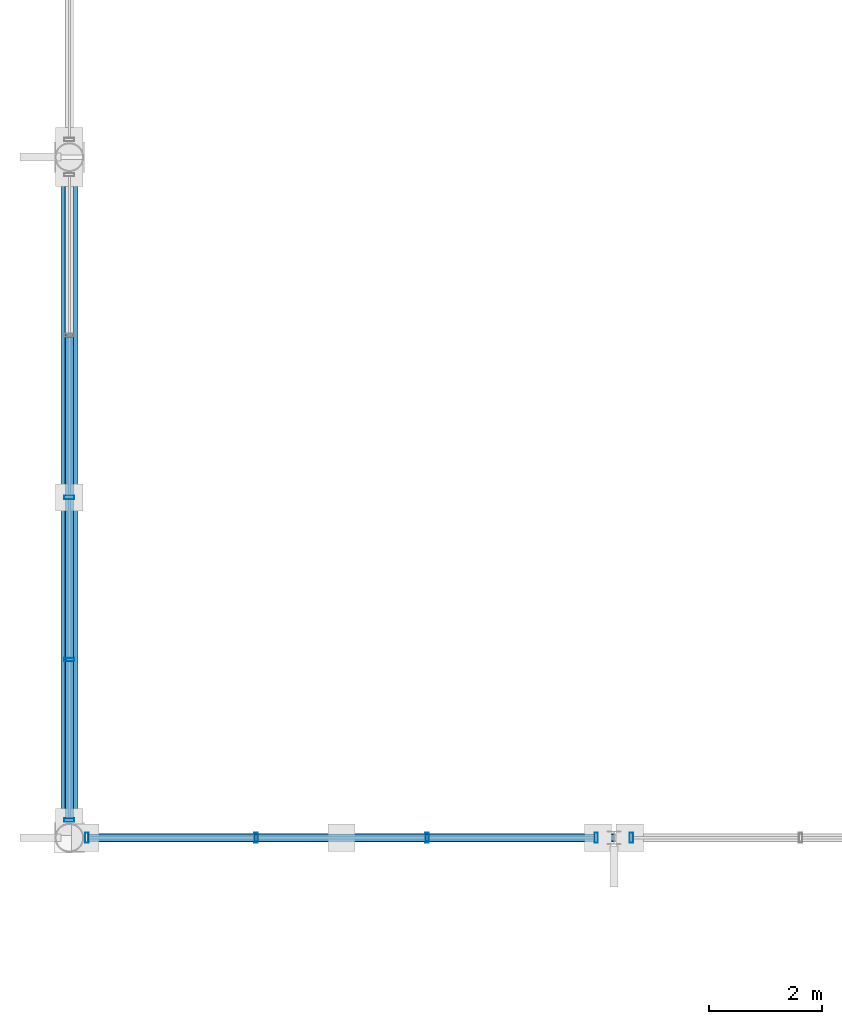
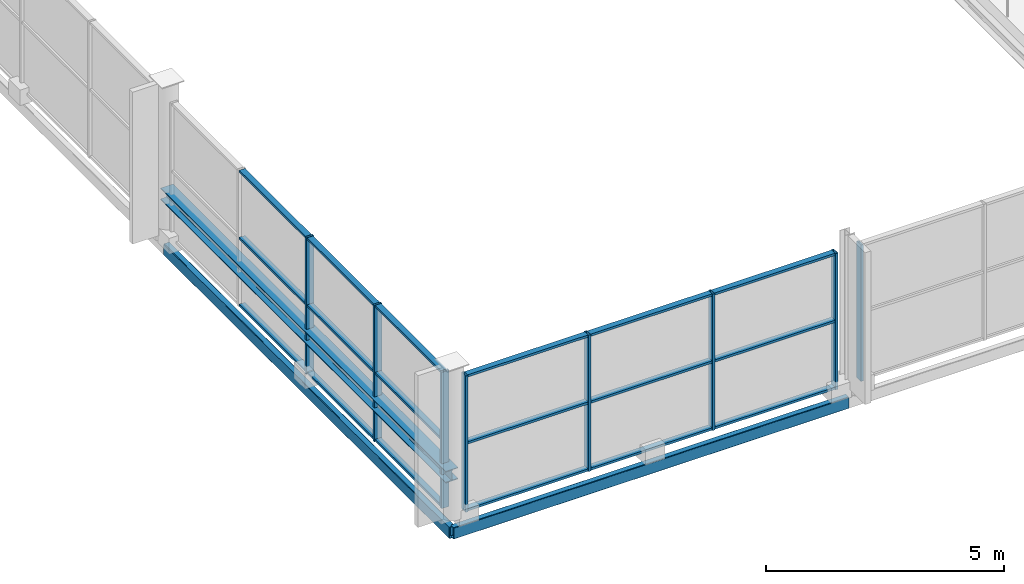
# One storey, part 20 of 117: 26 members, 3 beams, 3 elements without a shape of their own.
"""IFC4 building model written with IfcOpenShell, lengths in metres."""

from ifc_helpers import new_model, si_unit, direction, frame, origin, origin_2d, place, context, subcontext, project, spatial, hollow_rectangle, i_section, extrude, material, material_profile, profile_set, type_object, element, aggregate, save


model = new_model("IFC4")

# Units and contexts
model_context = context("Model", 3, precision=1e-05, world=origin(), true_north=direction((0.0, 1.0)))
body_context = subcontext(model_context, "Body", "Model", "MODEL_VIEW")
ifc_project = project(units=[si_unit("LENGTHUNIT", "METRE"), si_unit("AREAUNIT", "SQUARE_METRE"), si_unit("VOLUMEUNIT", "CUBIC_METRE"), si_unit("PLANEANGLEUNIT", "RADIAN"), si_unit("MASSUNIT", "GRAM", prefix="KILO")], contexts=[model_context])

# Site, building, storey
site_placement = place(None, origin())
site = spatial("IfcSite", under=ifc_project, at=site_placement, CompositionType="ELEMENT")
building_placement = place(site_placement, origin())
building = spatial("IfcBuilding", under=site, at=building_placement, Name="Merenkruunu Market Hall", CompositionType="ELEMENT")
storey_placement = place(building_placement, frame((0.0, 0.0, 10.199951171875)))
storey = spatial("IfcBuildingStorey", under=building, at=storey_placement, Name="L02", CompositionType="ELEMENT", Elevation=10.199951171875)

# Curtain wall, members
ifc_material_1 = material(Name="Powder-coated aluminium", Category="aluminium")
curtain_wall_type_1 = type_object("IfcCurtainWallType", Name="Glazed Curtain Wall CW13", PredefinedType="USERDEFINED", material=ifc_material_1)
curtain_wall_1_placement = place(storey_placement, origin())
curtain_wall_1 = element("IfcCurtainWall", 1, at=curtain_wall_1_placement, inside=storey, type_object=curtain_wall_type_1, Name="CW-L02-CWM02-003", ObjectType="GLAZED_FACADE", PredefinedType="USERDEFINED")
ifc_material_profile_1 = material_profile(ifc_material_1, hollow_rectangle(XDim=0.06005859375, YDim=0.179931640625, WallThickness=0.00390625, at=origin_2d()), Name="ALU 60x180x4")
ifc_profile_set_1 = profile_set([ifc_material_profile_1], Name="Powder-coated aluminium")
member_type_1 = type_object("IfcMemberType", Name="Curtain Wall Mullion CWM02", PredefinedType="MULLION", material=ifc_profile_set_1)
member_1_placement = place(storey_placement, frame((0.0, 15.909912109375, 0.0), z_axis=(0.0, 0.0, 1.0), x_axis=(0.0, 1.0, 0.0)))
member_1 = element("IfcMember", 2, at=member_1_placement, type_object=member_type_1, Name="CW13 mullion 1", PredefinedType="MULLION", context=body_context, shape_type="SweptSolid", body=[
    extrude(hollow_rectangle(XDim=0.06005859375, YDim=0.179931640625, WallThickness=0.00390625, at=origin_2d()), origin(), (0.0, 0.0, 1.0), 3.5),
])
member_2_placement = place(storey_placement, frame((0.0, 18.739990234375, 0.0), z_axis=(0.0, 0.0, 1.0), x_axis=(0.0, 1.0, 0.0)))
member_2 = element("IfcMember", 3, at=member_2_placement, type_object=member_type_1, Name="CW13 mullion 2", PredefinedType="MULLION", context=body_context, shape_type="SweptSolid", body=[
    extrude(hollow_rectangle(XDim=0.06005859375, YDim=0.179931640625, WallThickness=0.00390625, at=origin_2d()), origin(), (0.0, 0.0, 1.0), 3.5),
])
member_3_placement = place(storey_placement, frame((0.0, 21.60009765625, 0.0), z_axis=(0.0, 0.0, 1.0), x_axis=(0.0, 1.0, 0.0)))
member_3 = element("IfcMember", 4, at=member_3_placement, type_object=member_type_1, Name="CW13 mullion 3", PredefinedType="MULLION", context=body_context, shape_type="SweptSolid", body=[
    extrude(hollow_rectangle(XDim=0.06005859375, YDim=0.179931640625, WallThickness=0.00390625, at=origin_2d()), origin(), (0.0, 0.0, 1.0), 3.5),
])

curtain_wall_type_2 = type_object("IfcCurtainWallType", Name="Glazed Curtain Wall CW10", PredefinedType="USERDEFINED", material=ifc_material_1)
curtain_wall_2_placement = place(storey_placement, origin())
curtain_wall_2 = element("IfcCurtainWall", 5, at=curtain_wall_2_placement, inside=storey, type_object=curtain_wall_type_2, Name="CW-L02-CWM02-021", ObjectType="GLAZED_FACADE", PredefinedType="USERDEFINED")
member_4_placement = place(storey_placement, frame((9.2900390625, 15.60009765625, 0.0), z_axis=(0.0, 0.0, 1.0), x_axis=(-1.0, 0.0, 0.0)))
member_4 = element("IfcMember", 6, at=member_4_placement, type_object=member_type_1, Name="CW10 mullion 1", PredefinedType="MULLION", context=body_context, shape_type="SweptSolid", body=[
    extrude(hollow_rectangle(XDim=0.06005859375, YDim=0.179931640625, WallThickness=0.00390625, at=origin_2d()), origin(), (0.0, 0.0, 1.0), 3.5),
])
member_5_placement = place(storey_placement, frame((6.306640625, 15.60009765625, 0.0), z_axis=(0.0, 0.0, 1.0), x_axis=(-1.0, 0.0, 0.0)))
member_5 = element("IfcMember", 7, at=member_5_placement, type_object=member_type_1, Name="CW10 mullion 2", PredefinedType="MULLION", context=body_context, shape_type="SweptSolid", body=[
    extrude(hollow_rectangle(XDim=0.06005859375, YDim=0.179931640625, WallThickness=0.00390625, at=origin_2d()), origin(), (0.0, 0.0, 1.0), 3.5),
])
member_6_placement = place(storey_placement, frame((3.293212890625, 15.60009765625, 0.0), z_axis=(0.0, 0.0, 1.0), x_axis=(-1.0, 0.0, 0.0)))
member_6 = element("IfcMember", 8, at=member_6_placement, type_object=member_type_1, Name="CW10 mullion 3", PredefinedType="MULLION", context=body_context, shape_type="SweptSolid", body=[
    extrude(hollow_rectangle(XDim=0.06005859375, YDim=0.179931640625, WallThickness=0.00390625, at=origin_2d()), origin(), (0.0, 0.0, 1.0), 3.5),
])
member_7_placement = place(storey_placement, frame((0.31005859375, 15.60009765625, 0.0), z_axis=(0.0, 0.0, 1.0), x_axis=(-1.0, 0.0, 0.0)))
member_7 = element("IfcMember", 9, at=member_7_placement, type_object=member_type_1, Name="CW10 mullion 4", PredefinedType="MULLION", context=body_context, shape_type="SweptSolid", body=[
    extrude(hollow_rectangle(XDim=0.06005859375, YDim=0.179931640625, WallThickness=0.00390625, at=origin_2d()), origin(), (0.0, 0.0, 1.0), 3.5),
])

# Curtain wall, member
curtain_wall_3_placement = place(storey_placement, origin())
curtain_wall_3 = element("IfcCurtainWall", 10, at=curtain_wall_3_placement, inside=storey, type_object=curtain_wall_type_2, Name="CW-L02-CWM02-024", ObjectType="GLAZED_FACADE", PredefinedType="USERDEFINED")
member_8_placement = place(storey_placement, frame((9.909912109375, 15.60009765625, 0.0), z_axis=(0.0, 0.0, 1.0), x_axis=(-1.0, 0.0, 0.0)))
member_8 = element("IfcMember", 11, at=member_8_placement, type_object=member_type_1, Name="CW10 mullion 4", PredefinedType="MULLION", context=body_context, shape_type="SweptSolid", body=[
    extrude(hollow_rectangle(XDim=0.06005859375, YDim=0.179931640625, WallThickness=0.00390625, at=origin_2d()), origin(), (0.0, 0.0, 1.0), 3.5),
])
aggregate(curtain_wall_3, [member_8])

# Member
ifc_material_profile_2 = material_profile(ifc_material_1, hollow_rectangle(XDim=0.06005859375, YDim=0.139892578125, WallThickness=0.00390625, at=origin_2d()), Name="ALU 60x140x4")
ifc_profile_set_2 = profile_set([ifc_material_profile_2], Name="Powder-coated aluminium")
member_type_2 = type_object("IfcMemberType", Name="Curtain Wall Transom CWT02", PredefinedType="USERDEFINED", material=ifc_profile_set_2)
member_9_placement = place(storey_placement, frame((0.0, 15.93994140625, 0.030029296875), z_axis=(0.0, 1.0, 0.0), x_axis=(0.0, 0.0, 1.0)))
member_9 = element("IfcMember", 12, at=member_9_placement, type_object=member_type_2, Name="CW13 transom 1.1", ObjectType="TRANSOM", PredefinedType="USERDEFINED", context=body_context, shape_type="SweptSolid", body=[
    extrude(hollow_rectangle(XDim=0.06005859375, YDim=0.139892578125, WallThickness=0.00390625, at=origin_2d()), origin(), (0.0, 0.0, 1.0), 2.77001953125),
])

member_10_placement = place(storey_placement, frame((0.0, 15.93994140625, 1.75), z_axis=(0.0, 1.0, 0.0), x_axis=(0.0, 0.0, 1.0)))
member_10 = element("IfcMember", 13, at=member_10_placement, type_object=member_type_2, Name="CW13 transom 1.2", ObjectType="TRANSOM", PredefinedType="USERDEFINED", context=body_context, shape_type="SweptSolid", body=[
    extrude(hollow_rectangle(XDim=0.06005859375, YDim=0.139892578125, WallThickness=0.00390625, at=origin_2d()), origin(), (0.0, 0.0, 1.0), 2.77001953125),
])

member_11_placement = place(storey_placement, frame((0.0, 15.93994140625, 3.469970703125), z_axis=(0.0, 1.0, 0.0), x_axis=(0.0, 0.0, 1.0)))
member_11 = element("IfcMember", 14, at=member_11_placement, type_object=member_type_2, Name="CW13 transom 1.3", ObjectType="TRANSOM", PredefinedType="USERDEFINED", context=body_context, shape_type="SweptSolid", body=[
    extrude(hollow_rectangle(XDim=0.06005859375, YDim=0.139892578125, WallThickness=0.00390625, at=origin_2d()), origin(), (0.0, 0.0, 1.0), 2.77001953125),
])

member_12_placement = place(storey_placement, frame((0.0, 18.77001953125, 0.030029296875), z_axis=(0.0, 1.0, 0.0), x_axis=(0.0, 0.0, 1.0)))
member_12 = element("IfcMember", 15, at=member_12_placement, type_object=member_type_2, Name="CW13 transom 2.1", ObjectType="TRANSOM", PredefinedType="USERDEFINED", context=body_context, shape_type="SweptSolid", body=[
    extrude(hollow_rectangle(XDim=0.06005859375, YDim=0.139892578125, WallThickness=0.00390625, at=origin_2d()), origin(), (0.0, 0.0, 1.0), 2.800048828125),
])

member_13_placement = place(storey_placement, frame((0.0, 18.77001953125, 1.75), z_axis=(0.0, 1.0, 0.0), x_axis=(0.0, 0.0, 1.0)))
member_13 = element("IfcMember", 16, at=member_13_placement, type_object=member_type_2, Name="CW13 transom 2.2", ObjectType="TRANSOM", PredefinedType="USERDEFINED", context=body_context, shape_type="SweptSolid", body=[
    extrude(hollow_rectangle(XDim=0.06005859375, YDim=0.139892578125, WallThickness=0.00390625, at=origin_2d()), origin(), (0.0, 0.0, 1.0), 2.800048828125),
])

member_14_placement = place(storey_placement, frame((0.0, 18.77001953125, 3.469970703125), z_axis=(0.0, 1.0, 0.0), x_axis=(0.0, 0.0, 1.0)))
member_14 = element("IfcMember", 17, at=member_14_placement, type_object=member_type_2, Name="CW13 transom 2.3", ObjectType="TRANSOM", PredefinedType="USERDEFINED", context=body_context, shape_type="SweptSolid", body=[
    extrude(hollow_rectangle(XDim=0.06005859375, YDim=0.139892578125, WallThickness=0.00390625, at=origin_2d()), origin(), (0.0, 0.0, 1.0), 2.800048828125),
])

member_15_placement = place(storey_placement, frame((0.0, 21.6298828125, 0.030029296875), z_axis=(0.0, 1.0, 0.0), x_axis=(0.0, 0.0, 1.0)))
member_15 = element("IfcMember", 18, at=member_15_placement, type_object=member_type_2, Name="CW13 transom 3.1", ObjectType="TRANSOM", PredefinedType="USERDEFINED", context=body_context, shape_type="SweptSolid", body=[
    extrude(hollow_rectangle(XDim=0.06005859375, YDim=0.139892578125, WallThickness=0.00390625, at=origin_2d()), origin(), (0.0, 0.0, 1.0), 2.800048828125),
])

member_16_placement = place(storey_placement, frame((0.0, 21.6298828125, 1.75), z_axis=(0.0, 1.0, 0.0), x_axis=(0.0, 0.0, 1.0)))
member_16 = element("IfcMember", 19, at=member_16_placement, type_object=member_type_2, Name="CW13 transom 3.2", ObjectType="TRANSOM", PredefinedType="USERDEFINED", context=body_context, shape_type="SweptSolid", body=[
    extrude(hollow_rectangle(XDim=0.06005859375, YDim=0.139892578125, WallThickness=0.00390625, at=origin_2d()), origin(), (0.0, 0.0, 1.0), 2.800048828125),
])

member_17_placement = place(storey_placement, frame((0.0, 21.6298828125, 3.469970703125), z_axis=(0.0, 1.0, 0.0), x_axis=(0.0, 0.0, 1.0)))
member_17 = element("IfcMember", 20, at=member_17_placement, type_object=member_type_2, Name="CW13 transom 3.3", ObjectType="TRANSOM", PredefinedType="USERDEFINED", context=body_context, shape_type="SweptSolid", body=[
    extrude(hollow_rectangle(XDim=0.06005859375, YDim=0.139892578125, WallThickness=0.00390625, at=origin_2d()), origin(), (0.0, 0.0, 1.0), 2.800048828125),
])

aggregate(curtain_wall_1, [member_1, member_2, member_3, member_9, member_10, member_11, member_12, member_13, member_14, member_15, member_16, member_17])

member_18_placement = place(storey_placement, frame((9.260009765625, 15.60009765625, 0.030029296875), z_axis=(-1.0, 0.0, 0.0), x_axis=(0.0, 0.0, 1.0)))
member_18 = element("IfcMember", 21, at=member_18_placement, type_object=member_type_2, Name="CW10 transom 1.1", ObjectType="TRANSOM", PredefinedType="USERDEFINED", context=body_context, shape_type="SweptSolid", body=[
    extrude(hollow_rectangle(XDim=0.06005859375, YDim=0.139892578125, WallThickness=0.00390625, at=origin_2d()), origin(), (0.0, 0.0, 1.0), 2.92333984375),
])

member_19_placement = place(storey_placement, frame((9.260009765625, 15.60009765625, 1.75), z_axis=(-1.0, 0.0, 0.0), x_axis=(0.0, 0.0, 1.0)))
member_19 = element("IfcMember", 22, at=member_19_placement, type_object=member_type_2, Name="CW10 transom 1.2", ObjectType="TRANSOM", PredefinedType="USERDEFINED", context=body_context, shape_type="SweptSolid", body=[
    extrude(hollow_rectangle(XDim=0.06005859375, YDim=0.139892578125, WallThickness=0.00390625, at=origin_2d()), origin(), (0.0, 0.0, 1.0), 2.92333984375),
])

member_20_placement = place(storey_placement, frame((9.260009765625, 15.60009765625, 3.469970703125), z_axis=(-1.0, 0.0, 0.0), x_axis=(0.0, 0.0, 1.0)))
member_20 = element("IfcMember", 23, at=member_20_placement, type_object=member_type_2, Name="CW10 transom 1.3", ObjectType="TRANSOM", PredefinedType="USERDEFINED", context=body_context, shape_type="SweptSolid", body=[
    extrude(hollow_rectangle(XDim=0.06005859375, YDim=0.139892578125, WallThickness=0.00390625, at=origin_2d()), origin(), (0.0, 0.0, 1.0), 2.92333984375),
])

member_21_placement = place(storey_placement, frame((6.276611328125, 15.60009765625, 0.030029296875), z_axis=(-1.0, 0.0, 0.0), x_axis=(0.0, 0.0, 1.0)))
member_21 = element("IfcMember", 24, at=member_21_placement, type_object=member_type_2, Name="CW10 transom 2.1", ObjectType="TRANSOM", PredefinedType="USERDEFINED", context=body_context, shape_type="SweptSolid", body=[
    extrude(hollow_rectangle(XDim=0.06005859375, YDim=0.139892578125, WallThickness=0.00390625, at=origin_2d()), origin(), (0.0, 0.0, 1.0), 2.953369140625),
])

member_22_placement = place(storey_placement, frame((6.276611328125, 15.60009765625, 1.75), z_axis=(-1.0, 0.0, 0.0), x_axis=(0.0, 0.0, 1.0)))
member_22 = element("IfcMember", 25, at=member_22_placement, type_object=member_type_2, Name="CW10 transom 2.2", ObjectType="TRANSOM", PredefinedType="USERDEFINED", context=body_context, shape_type="SweptSolid", body=[
    extrude(hollow_rectangle(XDim=0.06005859375, YDim=0.139892578125, WallThickness=0.00390625, at=origin_2d()), origin(), (0.0, 0.0, 1.0), 2.953369140625),
])

member_23_placement = place(storey_placement, frame((6.276611328125, 15.60009765625, 3.469970703125), z_axis=(-1.0, 0.0, 0.0), x_axis=(0.0, 0.0, 1.0)))
member_23 = element("IfcMember", 26, at=member_23_placement, type_object=member_type_2, Name="CW10 transom 2.3", ObjectType="TRANSOM", PredefinedType="USERDEFINED", context=body_context, shape_type="SweptSolid", body=[
    extrude(hollow_rectangle(XDim=0.06005859375, YDim=0.139892578125, WallThickness=0.00390625, at=origin_2d()), origin(), (0.0, 0.0, 1.0), 2.953369140625),
])

member_24_placement = place(storey_placement, frame((3.263427734375, 15.60009765625, 0.030029296875), z_axis=(-1.0, 0.0, 0.0), x_axis=(0.0, 0.0, 1.0)))
member_24 = element("IfcMember", 27, at=member_24_placement, type_object=member_type_2, Name="CW10 transom 3.1", ObjectType="TRANSOM", PredefinedType="USERDEFINED", context=body_context, shape_type="SweptSolid", body=[
    extrude(hollow_rectangle(XDim=0.06005859375, YDim=0.139892578125, WallThickness=0.00390625, at=origin_2d()), origin(), (0.0, 0.0, 1.0), 2.92333984375),
])

member_25_placement = place(storey_placement, frame((3.263427734375, 15.60009765625, 1.75), z_axis=(-1.0, 0.0, 0.0), x_axis=(0.0, 0.0, 1.0)))
member_25 = element("IfcMember", 28, at=member_25_placement, type_object=member_type_2, Name="CW10 transom 3.2", ObjectType="TRANSOM", PredefinedType="USERDEFINED", context=body_context, shape_type="SweptSolid", body=[
    extrude(hollow_rectangle(XDim=0.06005859375, YDim=0.139892578125, WallThickness=0.00390625, at=origin_2d()), origin(), (0.0, 0.0, 1.0), 2.92333984375),
])

member_26_placement = place(storey_placement, frame((3.263427734375, 15.60009765625, 3.469970703125), z_axis=(-1.0, 0.0, 0.0), x_axis=(0.0, 0.0, 1.0)))
member_26 = element("IfcMember", 29, at=member_26_placement, type_object=member_type_2, Name="CW10 transom 3.3", ObjectType="TRANSOM", PredefinedType="USERDEFINED", context=body_context, shape_type="SweptSolid", body=[
    extrude(hollow_rectangle(XDim=0.06005859375, YDim=0.139892578125, WallThickness=0.00390625, at=origin_2d()), origin(), (0.0, 0.0, 1.0), 2.92333984375),
])

aggregate(curtain_wall_2, [member_4, member_5, member_6, member_7, member_18, member_19, member_20, member_21, member_22, member_23, member_24, member_25, member_26])

# Beams
ifc_material_2 = material(Name="Steel S355J2", Category="steel")
ifc_material_profile_3 = material_profile(ifc_material_2, hollow_rectangle(XDim=0.14990234375, YDim=0.300048828125, WallThickness=0.012451171875, InnerFilletRadius=0.012451171875, OuterFilletRadius=0.02490234375, at=origin_2d()), Name="RHS 300x150x12.5")
ifc_profile_set_3 = profile_set([ifc_material_profile_3], Name="Steel S355J2")
beam_type_1 = type_object("IfcBeamType", Name="Perimeter Spandrel Beam SP03", PredefinedType="SPANDREL", material=ifc_profile_set_3)
beam_1_placement = place(storey_placement, frame((0.0, 15.60009765625, -0.4599609375), z_axis=(0.0, 1.0, 0.0), x_axis=(-1.0, 0.0, 0.0)))
element("IfcBeam", 30, at=beam_1_placement, inside=storey, type_object=beam_type_1, Name="BM-L02-SP03-1220", PredefinedType="SPANDREL", context=body_context, shape_type="SweptSolid", body=[
    extrude(hollow_rectangle(XDim=0.14990234375, YDim=0.300048828125, WallThickness=0.012451171875, InnerFilletRadius=0.012451171875, OuterFilletRadius=0.02490234375, at=origin_2d()), origin(), (0.0, 0.0, 1.0), 12.0),
])
beam_2_placement = place(storey_placement, frame((0.0, 15.60009765625, -0.4599609375), z_axis=(1.0, 0.0, 0.0), x_axis=(0.0, 1.0, 0.0)))
element("IfcBeam", 31, at=beam_2_placement, inside=storey, type_object=beam_type_1, Name="BM-L02-SP03-1238", PredefinedType="SPANDREL", context=body_context, shape_type="SweptSolid", body=[
    extrude(hollow_rectangle(XDim=0.14990234375, YDim=0.300048828125, WallThickness=0.012451171875, InnerFilletRadius=0.012451171875, OuterFilletRadius=0.02490234375, at=origin_2d()), origin(), (0.0, 0.0, 1.0), 9.60009765625),
])
ifc_material_profile_4 = material_profile(ifc_material_2, i_section(OverallWidth=0.300048828125, OverallDepth=0.300048828125, WebThickness=0.010986328125, FlangeThickness=0.01904296875, FilletRadius=0.027099609375, at=origin_2d()), Name="HEB 300")
ifc_profile_set_4 = profile_set([ifc_material_profile_4], Name="Steel S355J2")
beam_type_2 = type_object("IfcBeamType", Name="Primary Floor Girder B05", PredefinedType="BEAM", material=ifc_profile_set_4)
beam_3_placement = place(storey_placement, frame((0.0, 15.60009765625, 1.0), z_axis=(0.0, 1.0, 0.0), x_axis=(-1.0, 0.0, 0.0)))
element("IfcBeam", 32, at=beam_3_placement, inside=storey, type_object=beam_type_2, Name="BM-L02-B05-1333", PredefinedType="BEAM", context=body_context, shape_type="SweptSolid", body=[
    extrude(i_section(OverallWidth=0.300048828125, OverallDepth=0.300048828125, WebThickness=0.010986328125, FlangeThickness=0.01904296875, FilletRadius=0.027099609375, at=origin_2d()), origin(), (0.0, 0.0, 1.0), 12.0),
])

save(model, "model.ifc")
